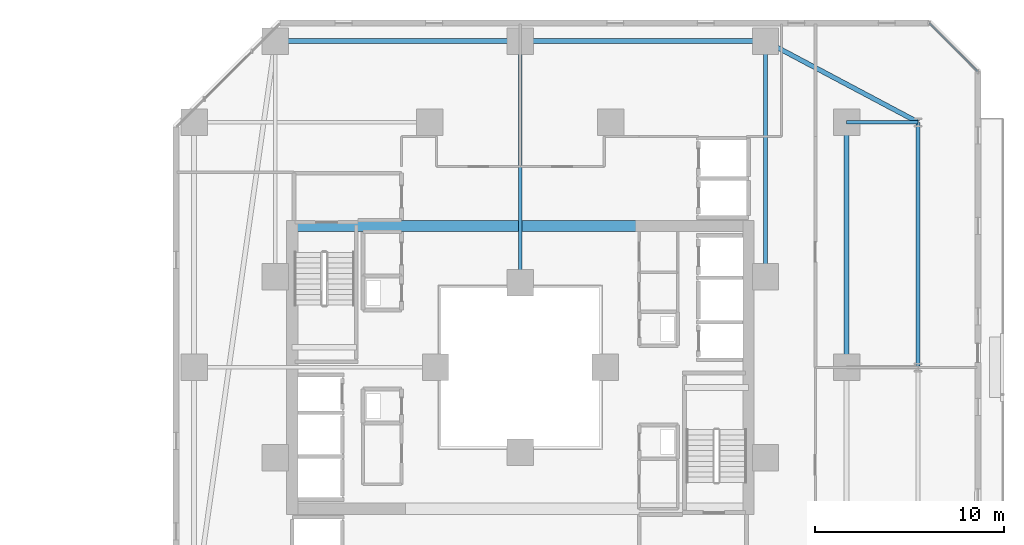
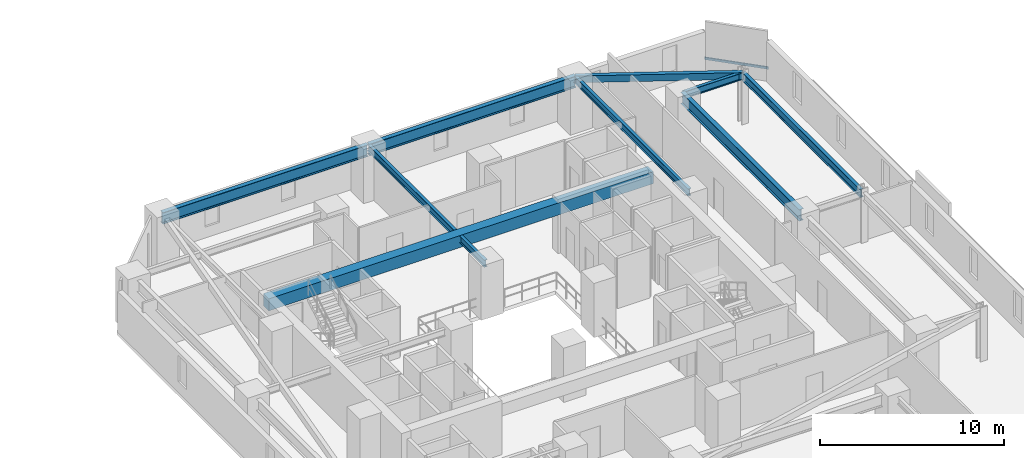
# One storey, part 15 of 33: 9 beams, 1 member, 1 element without a shape of its own.
"""IFC4 building model written with IfcOpenShell, lengths in metres."""

from ifc_helpers import new_model, si_unit, direction, frame, origin, origin_2d, place, context, subcontext, project, spatial, rectangle, hollow_rectangle, i_section, extrude, material, material_profile, profile_set, type_object, element, aggregate, save


model = new_model("IFC4")

# Units and contexts
model_context = context("Model", 3, precision=1e-05, world=origin(), true_north=direction((0.0, 1.0)))
body_context = subcontext(model_context, "Body", "Model", "MODEL_VIEW")
ifc_project = project(units=[si_unit("LENGTHUNIT", "METRE"), si_unit("AREAUNIT", "SQUARE_METRE"), si_unit("VOLUMEUNIT", "CUBIC_METRE"), si_unit("PLANEANGLEUNIT", "RADIAN"), si_unit("MASSUNIT", "GRAM", prefix="KILO")], contexts=[model_context])

# Site, building, storey
site_placement = place(None, origin())
site = spatial("IfcSite", under=ifc_project, at=site_placement, CompositionType="ELEMENT")
building_placement = place(site_placement, origin())
building = spatial("IfcBuilding", under=site, at=building_placement, Name="Thornwick Lancets Civic Towers", CompositionType="ELEMENT")
storey_placement = place(building_placement, frame((0.0, 0.0, 35.10009765625)))
storey = spatial("IfcBuildingStorey", under=building, at=storey_placement, Name="L08", CompositionType="ELEMENT", Elevation=35.10009765625)

# Beams
ifc_material_1 = material(Name="Concrete C60/75", Category="concrete")
ifc_material_profile_1 = material_profile(ifc_material_1, rectangle(XDim=0.60009765625, YDim=0.800048828125, at=origin_2d()), Name="RC 600x800")
ifc_profile_set_1 = profile_set([ifc_material_profile_1], Name="Concrete C60/75")
beam_type_1 = type_object("IfcBeamType", Name="BM_COUP_RC800", PredefinedType="BEAM", material=ifc_profile_set_1)
beam_1_placement = place(storey_placement, frame((76.39990234375, 34.5, 2.9599609375), z_axis=(1.0, 0.0, 0.0), x_axis=(0.0, 1.0, 0.0)))
element("IfcBeam", 1, at=beam_1_placement, inside=storey, type_object=beam_type_1, Name="CB-L08-B1", PredefinedType="BEAM", context=body_context, shape_type="SweptSolid", body=[
    extrude(rectangle(XDim=0.60009765625, YDim=0.800048828125, at=origin_2d()), origin(), (0.0, 0.0, 1.0), 24.2001953125),
])
ifc_material_2 = material(Name="Steel S355JR", Category="steel")
ifc_material_profile_2 = material_profile(ifc_material_2, i_section(OverallWidth=0.2119140625, OverallDepth=0.54443359375, WebThickness=0.0126953125, FlangeThickness=0.021240234375, FilletRadius=0.0126953125, at=origin_2d()), Name="UKB 533x210x122")
ifc_profile_set_2 = profile_set([ifc_material_profile_2], Name="Steel S355JR")
beam_type_2 = type_object("IfcBeamType", Name="BM_EDGE_533_122", PredefinedType="SPANDREL", material=ifc_profile_set_2)
beam_2_placement = place(storey_placement, frame((109.60009765625, 27.080078125, 3.087646484375), z_axis=(0.0, 1.0, 0.0), x_axis=(-1.0, 0.0, 0.0)))
element("IfcBeam", 2, at=beam_2_placement, inside=storey, type_object=beam_type_2, Name="BM-EDGE-L08-B-S0-2", PredefinedType="SPANDREL", context=body_context, shape_type="SweptSolid", body=[
    extrude(i_section(OverallWidth=0.2119140625, OverallDepth=0.54443359375, WebThickness=0.0126953125, FlangeThickness=0.021240234375, FilletRadius=0.0126953125, at=origin_2d()), origin(), (0.0, 0.0, 1.0), 12.919921875),
])
ifc_material_profile_3 = material_profile(ifc_material_2, i_section(OverallWidth=0.26806640625, OverallDepth=0.769775390625, WebThickness=0.015625, FlangeThickness=0.025390625, FilletRadius=0.0166015625, at=origin_2d()), Name="UKB 762x267x197")
ifc_profile_set_3 = profile_set([ifc_material_profile_3], Name="Steel S355JR")
beam_type_3 = type_object("IfcBeamType", Name="BM_GIRD_762_197", PredefinedType="BEAM", material=ifc_profile_set_3)
beam_3_placement = place(storey_placement, frame((105.800048828125, 27.080078125, 2.97509765625), z_axis=(0.0, 1.0, 0.0), x_axis=(-1.0, 0.0, 0.0)))
element("IfcBeam", 3, at=beam_3_placement, inside=storey, type_object=beam_type_3, Name="BM-SPINE-L08-B-1-2", PredefinedType="BEAM", context=body_context, shape_type="SweptSolid", body=[
    extrude(i_section(OverallWidth=0.26806640625, OverallDepth=0.769775390625, WebThickness=0.015625, FlangeThickness=0.025390625, FilletRadius=0.0166015625, at=origin_2d()), origin(), (0.0, 0.0, 1.0), 12.919921875),
])
beam_4_placement = place(storey_placement, frame((101.5, 44.300048828125, 2.97509765625), z_axis=(-1.0, 0.0, 0.0), x_axis=(0.0, -1.0, 0.0)))
element("IfcBeam", 4, at=beam_4_placement, inside=storey, type_object=beam_type_3, Name="BM-SPINE-L08-B-3-4", PredefinedType="BEAM", context=body_context, shape_type="SweptSolid", body=[
    extrude(i_section(OverallWidth=0.26806640625, OverallDepth=0.769775390625, WebThickness=0.015625, FlangeThickness=0.025390625, FilletRadius=0.0166015625, at=origin_2d()), origin(), (0.0, 0.0, 1.0), 13.0),
])
beam_5_placement = place(storey_placement, frame((88.419921875, 44.300048828125, 2.97509765625), z_axis=(-1.0, 0.0, 0.0), x_axis=(0.0, -1.0, 0.0)))
element("IfcBeam", 5, at=beam_5_placement, inside=storey, type_object=beam_type_3, Name="BM-SPINE-L08-B-4-5", PredefinedType="BEAM", context=body_context, shape_type="SweptSolid", body=[
    extrude(i_section(OverallWidth=0.26806640625, OverallDepth=0.769775390625, WebThickness=0.015625, FlangeThickness=0.025390625, FilletRadius=0.0166015625, at=origin_2d()), origin(), (0.0, 0.0, 1.0), 12.919921875),
])
ifc_material_profile_4 = material_profile(ifc_material_2, i_section(OverallWidth=0.19287109375, OverallDepth=0.46728515625, WebThickness=0.011474609375, FlangeThickness=0.01953125, FilletRadius=0.01025390625, at=origin_2d()), Name="UKB 457x191x98")
ifc_profile_set_4 = profile_set([ifc_material_profile_4], Name="Steel S355JR")
beam_type_4 = type_object("IfcBeamType", Name="BM_JOIST_457_98", PredefinedType="JOIST", material=ifc_profile_set_4)
beam_6_placement = place(storey_placement, frame((105.800048828125, 40.0, 3.126220703125), z_axis=(1.0, 0.0, 0.0), x_axis=(0.0, 1.0, 0.0)))
element("IfcBeam", 6, at=beam_6_placement, inside=storey, type_object=beam_type_4, Name="BM-RAD-L08-B03", PredefinedType="JOIST", context=body_context, shape_type="SweptSolid", body=[
    extrude(i_section(OverallWidth=0.19287109375, OverallDepth=0.46728515625, WebThickness=0.011474609375, FlangeThickness=0.01953125, FilletRadius=0.01025390625, at=origin_2d()), origin(), (0.0, 0.0, 1.0), 3.800048828125),
])
beam_7_placement = place(storey_placement, frame((101.5, 31.800048828125, 3.126220703125), z_axis=(0.0, 1.0, 0.0), x_axis=(-1.0, 0.0, 0.0)))
element("IfcBeam", 7, at=beam_7_placement, inside=storey, type_object=beam_type_4, Name="BM-RADIN-L08-B04", PredefinedType="JOIST", context=body_context, shape_type="SweptSolid", body=[
    extrude(i_section(OverallWidth=0.19287109375, OverallDepth=0.46728515625, WebThickness=0.011474609375, FlangeThickness=0.01953125, FilletRadius=0.01025390625, at=origin_2d()), origin(), (0.0, 0.0, 1.0), 12.5),
])
beam_8_placement = place(storey_placement, frame((88.5, 31.5, 3.126220703125), z_axis=(0.0, 1.0, 0.0), x_axis=(-1.0, 0.0, 0.0)))
element("IfcBeam", 8, at=beam_8_placement, inside=storey, type_object=beam_type_4, Name="BM-RADIN-L08-B05", PredefinedType="JOIST", context=body_context, shape_type="SweptSolid", body=[
    extrude(i_section(OverallWidth=0.19287109375, OverallDepth=0.46728515625, WebThickness=0.011474609375, FlangeThickness=0.01953125, FilletRadius=0.01025390625, at=origin_2d()), origin(), (0.0, 0.0, 1.0), 12.800048828125),
])
ifc_material_profile_5 = material_profile(ifc_material_2, hollow_rectangle(XDim=0.25, YDim=0.449951171875, WallThickness=0.01611328125, at=origin_2d()), Name="RHS 450x250x16")
ifc_profile_set_5 = profile_set([ifc_material_profile_5], Name="Steel S355JR")
beam_type_5 = type_object("IfcBeamType", Name="BM_RING_RHS450", PredefinedType="BEAM", material=ifc_profile_set_5)
beam_9_placement = place(storey_placement, frame((109.60009765625, 40.0, 3.135009765625), z_axis=(-0.883256999818, 0.468889189758, 0.0), x_axis=(-0.468889189758, -0.883256999818, 0.0)))
element("IfcBeam", 9, at=beam_9_placement, inside=storey, type_object=beam_type_5, Name="BM-CHAMF-L08-B-C0", PredefinedType="BEAM", context=body_context, shape_type="SweptSolid", body=[
    extrude(hollow_rectangle(XDim=0.25, YDim=0.449951171875, WallThickness=0.01611328125, at=origin_2d()), origin(), (0.0, 0.0, 1.0), 9.170654296875),
])

# Curtain wall, member
ifc_material_3 = material(Name="Low-zone chamfered-corner unitised glass curtain wall", Category="glass")
curtain_wall_type = type_object("IfcCurtainWallType", Name="CW_SYS_03", PredefinedType="NOTDEFINED", material=ifc_material_3)
curtain_wall_placement = place(storey_placement, origin())
curtain_wall = element("IfcCurtainWall", 10, at=curtain_wall_placement, inside=storey, type_object=curtain_wall_type, Name="L08 Curtain Wall CW-L08-B-E3", PredefinedType="NOTDEFINED")
ifc_material_4 = material(Name="Thermally broken bronze aluminium S355", Category="steel")
ifc_material_profile_6 = material_profile(ifc_material_4, hollow_rectangle(XDim=0.074951171875, YDim=0.14990234375, WallThickness=0.0048828125, at=origin_2d()), Name="RHS 150x75x5")
ifc_profile_set_6 = profile_set([ifc_material_profile_6], Name="Thermally broken bronze aluminium S355")
member_type = type_object("IfcMemberType", Name="CW_TRN_150", PredefinedType="USERDEFINED", material=ifc_profile_set_6)
member_placement = place(storey_placement, frame((112.750732421875, 42.6953125, 0.849853515625), z_axis=(-0.707106781187, 0.707106781187, 0.0), x_axis=(-0.707106781187, -0.707106781187, 0.0)))
member = element("IfcMember", 11, at=member_placement, type_object=member_type, Name="CW-L08-B-E3 Transom 0", ObjectType="TRANSOM", PredefinedType="USERDEFINED", context=body_context, shape_type="SweptSolid", body=[
    extrude(hollow_rectangle(XDim=0.074951171875, YDim=0.14990234375, WallThickness=0.0048828125, at=origin_2d()), origin(), (0.0, 0.0, 1.0), 3.614013671875),
])
aggregate(curtain_wall, [member])

save(model, "model.ifc")
